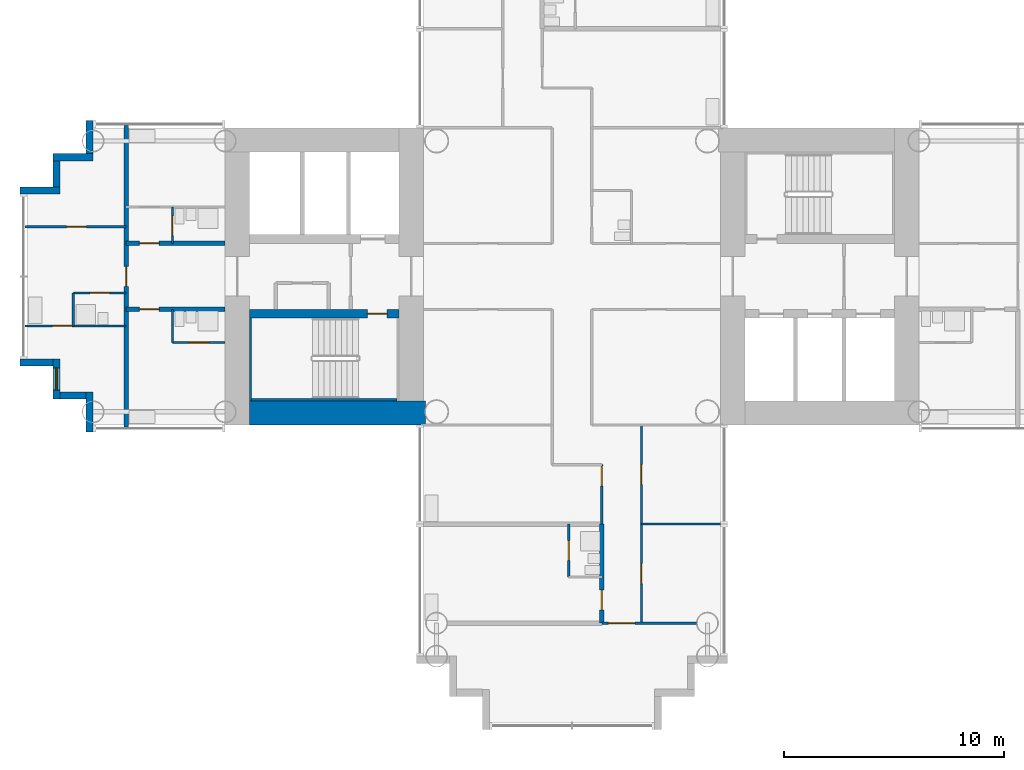
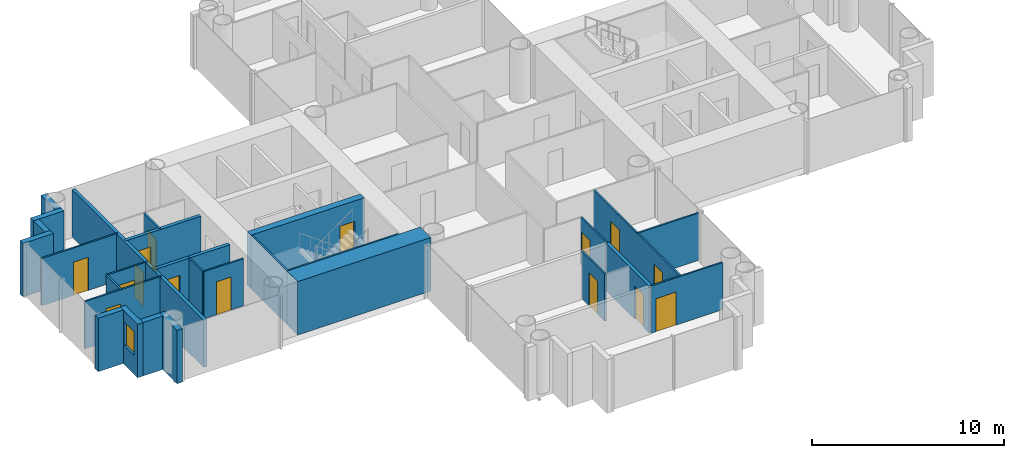
# One storey, part 9 of 21: 28 walls, 15 doors, 1 window, 16 openings.
"""IFC4 building model written with IfcOpenShell, lengths in metres."""

import ifcopenshell
import ifcopenshell.guid

model = None  # the IFC model being written
_history = None  # IfcOwnerHistory: only IFC2X3 demands one
_inside = {}  # id of a spatial element -> (the spatial element, [elements in it])
_under = {}  # id of a project, library or spatial element -> (it, [spatial elements below it])
_declared = {}  # id of a project -> (the project, [libraries it declares])
_typed = {}  # id of a type object -> (the type object, [elements of that type])
_made_of = {}  # id of a material, layer set ... -> (it, [elements and type objects made of it])


def new_model(schema):
    """Start an empty IFC model of exactly this schema.

    Asked for "IFC4X3", IfcOpenShell would pick the latest addendum, in which some entities
    have other attributes; the version numbers below select the first issue.
    IFC2X3 requires an IfcOwnerHistory on every rooted entity: one is made here for all.
    """
    global model, _history
    if schema == "IFC4X3":
        model = ifcopenshell.file(schema_version=(4, 3, 0, 0))
    else:
        model = ifcopenshell.file(schema=schema)
    _inside.clear()
    _under.clear()
    _declared.clear()
    _typed.clear()
    _made_of.clear()
    _history = None
    if model.schema == "IFC2X3":
        org = make("IfcOrganization", Name="unknown")
        user = make(
            "IfcPersonAndOrganization",
            ThePerson=make("IfcPerson", FamilyName="unknown"),
            TheOrganization=org,
        )
        app = make(
            "IfcApplication",
            ApplicationDeveloper=org,
            Version="unknown",
            ApplicationFullName="unknown",
            ApplicationIdentifier="unknown",
        )
        _history = make(
            "IfcOwnerHistory",
            OwningUser=user,
            OwningApplication=app,
            ChangeAction="ADDED",
            CreationDate=0,
        )
    return model


def make(cls, **values):
    """One entity of the class cls with the attributes given. An attribute that is None is left unset."""
    return model.create_entity(
        cls, **{name: value for name, value in values.items() if value is not None}
    )


def rooted(cls, **values):
    """An entity with a GlobalId (a new one), such as an element, a storey or a relation."""
    return make(cls, GlobalId=ifcopenshell.guid.new(), OwnerHistory=_history, **values)


def si_unit(unit_type, name, prefix=None):
    """IfcSIUnit, for example si_unit("LENGTHUNIT", "METRE", prefix="MILLI")."""
    return make("IfcSIUnit", UnitType=unit_type, Prefix=prefix, Name=name)


def assignment(units):
    """IfcUnitAssignment: the units of a project."""
    return None if units is None else make("IfcUnitAssignment", Units=units)


def point(xyz):
    """IfcCartesianPoint."""
    return None if xyz is None else make("IfcCartesianPoint", Coordinates=xyz)


def direction(xyz):
    """IfcDirection."""
    return None if xyz is None else make("IfcDirection", DirectionRatios=xyz)


def frame(location, z_axis=None, x_axis=None):
    """IfcAxis2Placement3D, a coordinate frame: its origin and axes. An axis left out is left unset."""
    return make(
        "IfcAxis2Placement3D",
        Location=point(location),
        Axis=direction(z_axis),
        RefDirection=direction(x_axis),
    )


def frame_2d(location, x_axis=None):
    """IfcAxis2Placement2D, a coordinate frame in the plane: its origin and x axis."""
    return make(
        "IfcAxis2Placement2D", Location=point(location), RefDirection=direction(x_axis)
    )


def origin():
    """The frame at (0, 0, 0) with its axes left unset."""
    return frame((0.0, 0.0, 0.0))


def place(relative_to, where):
    """IfcLocalPlacement: puts the frame where relative to a parent placement (None: the world)."""
    return make(
        "IfcLocalPlacement", PlacementRelTo=relative_to, RelativePlacement=where
    )


def context(
    kind, dimensions, precision=None, world=None, true_north=None, identifier=None
):
    """IfcGeometricRepresentationContext, for example the 3D "Model" context."""
    return make(
        "IfcGeometricRepresentationContext",
        ContextIdentifier=identifier,
        ContextType=kind,
        CoordinateSpaceDimension=dimensions,
        Precision=precision,
        WorldCoordinateSystem=world,
        TrueNorth=true_north,
    )


def subcontext(parent, identifier, kind, view, scale=None):
    """IfcGeometricRepresentationSubContext, for example "Body" below "Model"."""
    return make(
        "IfcGeometricRepresentationSubContext",
        ContextIdentifier=identifier,
        ContextType=kind,
        ParentContext=parent,
        TargetScale=scale,
        TargetView=view,
    )


def project(units=None, contexts=None):
    """IfcProject with its units and contexts."""
    return rooted(
        "IfcProject",
        Name="project",
        RepresentationContexts=contexts,
        UnitsInContext=assignment(units),
    )


def spatial(cls, under=None, at=None, **own):
    """A site, building, storey or space (cls), placed at a placement, below another one or the project."""
    s = rooted(cls, ObjectPlacement=at, **own)
    if under is not None:
        _under.setdefault(under.id(), (under, []))[1].append(s)
    return s


def profile(cls, at=None, kind="AREA", **sizes):
    """A parametric profile (cls). Its sizes go by their IFC names, for example OverallWidth=200.0."""
    return make(cls, ProfileType=kind, Position=at, **sizes)


def rectangle(**sizes):
    """IfcRectangleProfileDef."""
    return profile("IfcRectangleProfileDef", **sizes)


def extrude(swept, where, along, depth):
    """IfcExtrudedAreaSolid: the profile swept, set in the frame where, extruded along a direction by depth."""
    return make(
        "IfcExtrudedAreaSolid",
        SweptArea=swept,
        Position=where,
        ExtrudedDirection=direction(along),
        Depth=depth,
    )


def shape(context_of_items, identifier, shape_type, items):
    """IfcShapeRepresentation: the items that make up one representation, for example the "Body"."""
    return make(
        "IfcShapeRepresentation",
        ContextOfItems=context_of_items,
        RepresentationIdentifier=identifier,
        RepresentationType=shape_type,
        Items=items,
    )


def material(Name=None, Category=None):
    """IfcMaterial."""
    return make("IfcMaterial", Name=Name, Category=Category)


def layer(
    of_material, thickness, ventilated=None, Name=None, Category=None, Priority=None
):
    """IfcMaterialLayer: one layer of a wall or slab, of a material (None: an air gap)."""
    return make(
        "IfcMaterialLayer",
        Material=of_material,
        LayerThickness=thickness,
        IsVentilated=ventilated,
        Name=Name,
        Category=Category,
        Priority=Priority,
    )


def layer_set(layers, Name=None):
    """IfcMaterialLayerSet."""
    return make("IfcMaterialLayerSet", MaterialLayers=layers, LayerSetName=Name)


def made_of(thing, what):
    """Note that an element or type object is made of a material, layer set ...; save() writes the relation."""
    if what is not None:
        _made_of.setdefault(what.id(), (what, []))[1].append(thing)
    return thing


def type_object(cls, material=None, **own):
    """A type object (cls), such as IfcWallType, which elements share."""
    return made_of(rooted(cls, **own), material)


def element(
    cls,
    number,
    at=None,
    inside=None,
    cuts=None,
    type_object=None,
    material=None,
    context=None,
    identifier="Body",
    shape_type=None,
    held_by="IfcProductDefinitionShape",
    body=None,
    shapes=None,
    **own,
):
    """One element of the class cls, such as IfcWall. Its Tag is "e" and its number.

    at: its placement. inside: the storey or other place that contains it. cuts: it is an
    opening in that element (IfcRelVoidsElement). A single representation is given by context,
    identifier, shape_type and body (its items); several are given by shapes. held_by: the class
    of the entity that holds the representations. save() writes the other relations.
    """
    e = rooted(cls, Tag="e%d" % number, ObjectPlacement=at, **own)
    if body is not None:
        shapes = [shape(context, identifier, shape_type, body)]
    if shapes is not None:
        e.Representation = make(held_by, Representations=shapes)
    if inside is not None:
        _inside.setdefault(inside.id(), (inside, []))[1].append(e)
    if cuts is not None:
        rooted(
            "IfcRelVoidsElement", RelatingBuildingElement=cuts, RelatedOpeningElement=e
        )
    if type_object is not None:
        _typed.setdefault(type_object.id(), (type_object, []))[1].append(e)
    return made_of(e, material)


def fill(opening, filler):
    """IfcRelFillsElement: the door or window that sits in an opening."""
    return rooted(
        "IfcRelFillsElement",
        RelatingOpeningElement=opening,
        RelatedBuildingElement=filler,
    )


def aggregate(whole, parts):
    """IfcRelAggregates: a whole, such as a stair, and the parts it consists of."""
    return rooted("IfcRelAggregates", RelatingObject=whole, RelatedObjects=parts)


def save(model, path):
    """Write the relations noted so far, then the file.

    IfcRelAggregates (storeys below a building ...), IfcRelContainedInSpatialStructure (elements
    in a storey), IfcRelDefinesByType, IfcRelAssociatesMaterial and IfcRelDeclares: one each for
    every whole, place, type object, material and project.
    """
    for whole, parts in _under.values():
        aggregate(whole, parts)
    for where, things in _inside.values():
        rooted(
            "IfcRelContainedInSpatialStructure",
            RelatedElements=things,
            RelatingStructure=where,
        )
    for kind, things in _typed.values():
        rooted("IfcRelDefinesByType", RelatedObjects=things, RelatingType=kind)
    for what, things in _made_of.values():
        rooted("IfcRelAssociatesMaterial", RelatedObjects=things, RelatingMaterial=what)
    for by, libraries in _declared.values():
        rooted("IfcRelDeclares", RelatingContext=by, RelatedDefinitions=libraries)
    model.write(path)


model = new_model("IFC4")

# Units and contexts
model_context = context("Model", 3, precision=1e-05, world=origin(), true_north=direction((0.0, 1.0)))
body_context = subcontext(model_context, "Body", "Model", "MODEL_VIEW")
ifc_project = project(units=[si_unit("LENGTHUNIT", "METRE"), si_unit("AREAUNIT", "SQUARE_METRE"), si_unit("VOLUMEUNIT", "CUBIC_METRE"), si_unit("PLANEANGLEUNIT", "RADIAN"), si_unit("MASSUNIT", "GRAM", prefix="KILO")], contexts=[model_context])

# Site, building, storey
site_placement = place(None, origin())
site = spatial("IfcSite", under=ifc_project, at=site_placement, CompositionType="ELEMENT")
building_placement = place(site_placement, origin())
building = spatial("IfcBuilding", under=site, at=building_placement, Name="Ipe Terrace Towers", CompositionType="ELEMENT")
storey_placement = place(building_placement, frame((0.0, 0.0, 34.699951171875)))
storey = spatial("IfcBuildingStorey", under=building, at=storey_placement, Name="L08", CompositionType="ELEMENT", Elevation=34.699951171875)

# Wall
ifc_material_1 = material(Name="Concrete C40/50 with buff precast cladding", Category="concrete")
ifc_layer_1 = layer(ifc_material_1, 0.320068359375)
ifc_layer_set_1 = layer_set([ifc_layer_1], Name="BUFF CLADDING WALL 320")
wall_type_1 = type_object("IfcWallType", Name="BUFF CLADDING WALL 320", PredefinedType="STANDARD", material=ifc_layer_set_1)
wall_1_placement = place(storey_placement, frame((-61.070068359375, -3.909912109375, -0.300048828125), z_axis=(0.0, 0.0, 1.0), x_axis=(1.0, 0.0, 0.0)))
element("IfcWall", 1, at=wall_1_placement, inside=storey, type_object=wall_type_1, Name="T1-W-L08-00a wall", PredefinedType="STANDARD", context=body_context, shape_type="SweptSolid", body=[
    extrude(rectangle(XDim=1.5, YDim=0.320068359375, at=frame_2d((0.75, 0.0))), origin(), (0.0, 0.0, 1.0), 3.400146484375),
])

# Wall, opening, window
wall_2_placement = place(storey_placement, frame((-59.409912109375, -3.75, -0.300048828125), z_axis=(0.0, 0.0, 1.0), x_axis=(0.0, -1.0, 0.0)))
wall_2 = element("IfcWall", 2, at=wall_2_placement, inside=storey, type_object=wall_type_1, Name="T1-W-L08-01a wall", PredefinedType="STANDARD", context=body_context, shape_type="SweptSolid", body=[
    extrude(rectangle(XDim=1.820068359375, YDim=0.320068359375, at=frame_2d((0.91015625, 0.0))), origin(), (0.0, 0.0, 1.0), 3.400146484375),
])
opening_1_placement = place(wall_2_placement, frame((0.409912109375, 0.0, 1.199951171875)))
opening_1 = element("IfcOpeningElement", 3, at=opening_1_placement, cuts=wall_2, Name="Opening T1-W-05-L08-01", PredefinedType="OPENING", context=body_context, shape_type="SweptSolid", body=[
    extrude(rectangle(XDim=1.0, YDim=1.5, at=frame_2d((0.5, 0.75))), frame((0.0, 0.169921875, 0.0), z_axis=(0.0, -1.0, 0.0), x_axis=(1.0, 0.0, 0.0)), (0.0, 0.0, 1.0), 0.340087890625),
])
ifc_material_2 = material(Name="Glass, clear laminated", Category="glass")
window_type = type_object("IfcWindowType", Name="DWELLING WINDOW 1000 x 1500", PartitioningType="SINGLE_PANEL", PredefinedType="WINDOW", material=ifc_material_2)
window_placement = place(opening_1_placement, origin())
window = element("IfcWindow", 4, at=window_placement, inside=storey, type_object=window_type, Name="W-05 window", OverallHeight=1.5, OverallWidth=1.0, PartitioningType="SINGLE_PANEL", PredefinedType="WINDOW", context=body_context, shape_type="SweptSolid", body=[
    extrude(rectangle(XDim=1.0, YDim=1.5, at=frame_2d((0.5, 0.75))), frame((0.0, 0.030029296875, 0.0), z_axis=(0.0, -1.0, 0.0), x_axis=(1.0, 0.0, 0.0)), (0.0, 0.0, 1.0), 0.06005859375),
])
fill(opening_1, window)

# Walls
wall_3_placement = place(storey_placement, frame((-59.25, -5.409912109375, -0.300048828125), z_axis=(0.0, 0.0, 1.0), x_axis=(1.0, 0.0, 0.0)))
element("IfcWall", 5, at=wall_3_placement, inside=storey, type_object=wall_type_1, Name="T1-W-L08-02a wall", PredefinedType="STANDARD", context=body_context, shape_type="SweptSolid", body=[
    extrude(rectangle(XDim=1.179931640625, YDim=0.320068359375, at=frame_2d((0.58984375, 0.0))), origin(), (0.0, 0.0, 1.0), 3.400146484375),
])
wall_4_placement = place(storey_placement, frame((-57.909912109375, -5.25, -0.300048828125), z_axis=(0.0, 0.0, 1.0), x_axis=(0.0, -1.0, 0.0)))
element("IfcWall", 6, at=wall_4_placement, inside=storey, type_object=wall_type_1, Name="T1-W-L08-03a wall", PredefinedType="STANDARD", context=body_context, shape_type="SweptSolid", body=[
    extrude(rectangle(XDim=1.820068359375, YDim=0.320068359375, at=frame_2d((0.91015625, 0.0))), origin(), (0.0, 0.0, 1.0), 3.400146484375),
])
wall_5_placement = place(storey_placement, frame((-57.909912109375, 7.070068359375, -0.300048828125), z_axis=(0.0, 0.0, 1.0), x_axis=(0.0, -1.0, 0.0)))
element("IfcWall", 7, at=wall_5_placement, inside=storey, type_object=wall_type_1, Name="T1-W-L08-47a wall", PredefinedType="STANDARD", context=body_context, shape_type="SweptSolid", body=[
    extrude(rectangle(XDim=1.5, YDim=0.320068359375, at=frame_2d((0.75, 0.0))), origin(), (0.0, 0.0, 1.0), 3.400146484375),
])
wall_6_placement = place(storey_placement, frame((-57.75, 5.409912109375, -0.300048828125), z_axis=(0.0, 0.0, 1.0), x_axis=(-1.0, 0.0, 0.0)))
element("IfcWall", 8, at=wall_6_placement, inside=storey, type_object=wall_type_1, Name="T1-W-L08-48a wall", PredefinedType="STANDARD", context=body_context, shape_type="SweptSolid", body=[
    extrude(rectangle(XDim=1.820068359375, YDim=0.320068359375, at=frame_2d((0.91015625, 0.0))), origin(), (0.0, 0.0, 1.0), 3.400146484375),
])
wall_7_placement = place(storey_placement, frame((-59.409912109375, 5.25, -0.300048828125), z_axis=(0.0, 0.0, 1.0), x_axis=(0.0, -1.0, 0.0)))
element("IfcWall", 9, at=wall_7_placement, inside=storey, type_object=wall_type_1, Name="T1-W-L08-49a wall", PredefinedType="STANDARD", context=body_context, shape_type="SweptSolid", body=[
    extrude(rectangle(XDim=1.179931640625, YDim=0.320068359375, at=frame_2d((0.58984375, 0.0))), origin(), (0.0, 0.0, 1.0), 3.400146484375),
])
wall_8_placement = place(storey_placement, frame((-59.25, 3.909912109375, -0.300048828125), z_axis=(0.0, 0.0, 1.0), x_axis=(-1.0, 0.0, 0.0)))
element("IfcWall", 10, at=wall_8_placement, inside=storey, type_object=wall_type_1, Name="T1-W-L08-50a wall", PredefinedType="STANDARD", context=body_context, shape_type="SweptSolid", body=[
    extrude(rectangle(XDim=1.820068359375, YDim=0.320068359375, at=frame_2d((0.91015625, 0.0))), origin(), (0.0, 0.0, 1.0), 3.400146484375),
])
ifc_material_3 = material(Name="Gypsum board partition", Category="plasterboard")
ifc_layer_2 = layer(ifc_material_3, 0.10009765625)
ifc_layer_set_2 = layer_set([ifc_layer_2], Name="Gypsum board partition 100 mm")
wall_type_2 = type_object("IfcWallType", Name="Gypsum board partition 100 mm", PredefinedType="PARTITIONING", material=ifc_layer_set_2)
for number, where, z_axis, x_axis, name in (
    (11, (-58.64990234375, -2.25, 0.0), (0.0, 0.0, 1.0), (0.0, 1.0, 0.0), "Gypsum board partition T1 L08 W01"),
    (12, (-54.14990234375, -3.0, 0.0), (0.0, 0.0, 1.0), (0.0, 1.0, 0.0), "Gypsum board partition T1 L08 W03"),
):
    element("IfcWall", number, at=place(storey_placement, frame(where, z_axis=z_axis, x_axis=x_axis)), inside=storey, type_object=wall_type_2, Name=name, PredefinedType="PARTITIONING", context=body_context, shape_type="SweptSolid", body=[
        extrude(rectangle(XDim=1.5, YDim=0.10009765625, at=frame_2d((0.75, 0.0))), origin(), (0.0, 0.0, 1.0), 3.0),
    ])

# Wall, opening, door
wall_9_placement = place(storey_placement, frame((-54.14990234375, 1.5, 0.0), z_axis=(0.0, 0.0, 1.0), x_axis=(0.0, 1.0, 0.0)))
wall_9 = element("IfcWall", 13, at=wall_9_placement, inside=storey, type_object=wall_type_2, Name="Gypsum board partition T1 L08 W04", PredefinedType="PARTITIONING", context=body_context, shape_type="SweptSolid", body=[
    extrude(rectangle(XDim=1.64990234375, YDim=0.10009765625, at=frame_2d((0.824951171875, 0.0))), origin(), (0.0, 0.0, 1.0), 3.0),
])
opening_2_placement = place(wall_9_placement, frame((0.35009765625, 0.0, 0.0)))
opening_2 = element("IfcOpeningElement", 14, at=opening_2_placement, cuts=wall_9, Name="Opening T1-Z1B-26", PredefinedType="OPENING", context=body_context, shape_type="SweptSolid", body=[
    extrude(rectangle(XDim=0.89990234375, YDim=2.10009765625, at=frame_2d((0.449951171875, 1.050048828125))), frame((0.0, 0.06005859375, 0.0), z_axis=(0.0, -1.0, 0.0), x_axis=(1.0, 0.0, 0.0)), (0.0, 0.0, 1.0), 0.1201171875),
])
ifc_material_4 = material(Name="Timber door leaf", Category="wood")
door_type_1 = type_object("IfcDoorType", Name="Bathroom door 900 x 2100", OperationType="NOTDEFINED", PredefinedType="DOOR", material=ifc_material_4)
door_1_placement = place(opening_2_placement, origin())
door_1 = element("IfcDoor", 15, at=door_1_placement, inside=storey, type_object=door_type_1, Name="Bathroom door T1-Z1B-26", OperationType="SINGLE_SWING_LEFT", OverallHeight=2.10009765625, OverallWidth=0.89990234375, PredefinedType="DOOR", context=body_context, shape_type="SweptSolid", body=[
    extrude(rectangle(XDim=0.89990234375, YDim=2.10009765625, at=frame_2d((0.449951171875, 1.050048828125))), frame((0.0, 0.02490234375, 0.0), z_axis=(0.0, -1.0, 0.0), x_axis=(1.0, 0.0, 0.0)), (0.0, 0.0, 1.0), 0.050048828125),
])
fill(opening_2, door_1)

wall_10_placement = place(storey_placement, frame((-36.14990234375, -13.64990234375, 0.0), z_axis=(0.0, 0.0, 1.0), x_axis=(0.0, 1.0, 0.0)))
wall_10 = element("IfcWall", 16, at=wall_10_placement, inside=storey, type_object=wall_type_2, Name="Gypsum board partition T1 L08 W10", PredefinedType="PARTITIONING", context=body_context, shape_type="SweptSolid", body=[
    extrude(rectangle(XDim=2.39990234375, YDim=0.10009765625, at=frame_2d((1.199951171875, 0.0))), origin(), (0.0, 0.0, 1.0), 3.0),
])
opening_3_placement = place(wall_10_placement, frame((0.75, 0.0, 0.0)))
opening_3 = element("IfcOpeningElement", 17, at=opening_3_placement, cuts=wall_10, Name="Opening T1-Z1B-16", PredefinedType="OPENING", context=body_context, shape_type="SweptSolid", body=[
    extrude(rectangle(XDim=0.89990234375, YDim=2.10009765625, at=frame_2d((0.449951171875, 1.050048828125))), frame((0.0, 0.06005859375, 0.0), z_axis=(0.0, -1.0, 0.0), x_axis=(1.0, 0.0, 0.0)), (0.0, 0.0, 1.0), 0.1201171875),
])
door_2_placement = place(opening_3_placement, origin())
door_2 = element("IfcDoor", 18, at=door_2_placement, inside=storey, type_object=door_type_1, Name="Bathroom door T1-Z1B-16", OperationType="SINGLE_SWING_RIGHT", OverallHeight=2.10009765625, OverallWidth=0.89990234375, PredefinedType="DOOR", context=body_context, shape_type="SweptSolid", body=[
    extrude(rectangle(XDim=0.89990234375, YDim=2.10009765625, at=frame_2d((0.449951171875, 1.050048828125))), frame((0.0, 0.02490234375, 0.0), z_axis=(0.0, -1.0, 0.0), x_axis=(1.0, 0.0, 0.0)), (0.0, 0.0, 1.0), 0.050048828125),
])
fill(opening_3, door_2)

wall_11_placement = place(storey_placement, frame((-34.64990234375, -11.25, 0.0), z_axis=(0.0, 0.0, 1.0), x_axis=(0.0, 1.0, 0.0)))
wall_11 = element("IfcWall", 19, at=wall_11_placement, inside=storey, type_object=wall_type_2, Name="Gypsum board partition T1 L08 W14", PredefinedType="PARTITIONING", context=body_context, shape_type="SweptSolid", body=[
    extrude(rectangle(XDim=2.699951171875, YDim=0.10009765625, at=frame_2d((1.35009765625, 0.0))), origin(), (0.0, 0.0, 1.0), 3.0),
])
opening_4_placement = place(wall_11_placement, frame((1.72998046875, 0.0, 0.0)))
opening_4 = element("IfcOpeningElement", 20, at=opening_4_placement, cuts=wall_11, Name="Opening T1-Z1B-14", PredefinedType="OPENING", context=body_context, shape_type="SweptSolid", body=[
    extrude(rectangle(XDim=0.89990234375, YDim=2.10009765625, at=frame_2d((0.449951171875, 1.050048828125))), frame((0.0, 0.06005859375, 0.0), z_axis=(0.0, -1.0, 0.0), x_axis=(1.0, 0.0, 0.0)), (0.0, 0.0, 1.0), 0.1201171875),
])
ifc_material_5 = material(Name="Timber door leaf", Category="wood")
door_type_2 = type_object("IfcDoorType", Name="Lounge door 900 x 2100", OperationType="NOTDEFINED", PredefinedType="DOOR", material=ifc_material_5)
door_3_placement = place(opening_4_placement, origin())
door_3 = element("IfcDoor", 21, at=door_3_placement, inside=storey, type_object=door_type_2, Name="Lounge door T1-Z1B-14", OperationType="SINGLE_SWING_LEFT", OverallHeight=2.10009765625, OverallWidth=0.89990234375, PredefinedType="DOOR", context=body_context, shape_type="SweptSolid", body=[
    extrude(rectangle(XDim=0.89990234375, YDim=2.10009765625, at=frame_2d((0.449951171875, 1.050048828125))), frame((0.0, 0.02490234375, 0.0), z_axis=(0.0, -1.0, 0.0), x_axis=(1.0, 0.0, 0.0)), (0.0, 0.0, 1.0), 0.050048828125),
])
fill(opening_4, door_3)

# Wall, openings, doors
wall_12_placement = place(storey_placement, frame((-32.85009765625, -15.75, 0.0), z_axis=(0.0, 0.0, 1.0), x_axis=(0.0, 1.0, 0.0)))
wall_12 = element("IfcWall", 22, at=wall_12_placement, inside=storey, type_object=wall_type_2, Name="Gypsum board partition T1 L08 W17", PredefinedType="PARTITIONING", context=body_context, shape_type="SweptSolid", body=[
    extrude(rectangle(XDim=9.0, YDim=0.10009765625, at=frame_2d((4.5, 0.0))), origin(), (0.0, 0.0, 1.0), 3.0),
])
opening_5_placement = place(wall_12_placement, frame((6.300048828125, 0.0, 0.0)))
opening_5 = element("IfcOpeningElement", 23, at=opening_5_placement, cuts=wall_12, Name="Opening T1-Z1B-12", PredefinedType="OPENING", context=body_context, shape_type="SweptSolid", body=[
    extrude(rectangle(XDim=0.89990234375, YDim=2.10009765625, at=frame_2d((0.449951171875, 1.050048828125))), frame((0.0, 0.06005859375, 0.0), z_axis=(0.0, -1.0, 0.0), x_axis=(1.0, 0.0, 0.0)), (0.0, 0.0, 1.0), 0.1201171875),
])
opening_6_placement = place(wall_12_placement, frame((1.800048828125, 0.0, 0.0)))
opening_6 = element("IfcOpeningElement", 24, at=opening_6_placement, cuts=wall_12, Name="Opening T1-Z1B-13", PredefinedType="OPENING", context=body_context, shape_type="SweptSolid", body=[
    extrude(rectangle(XDim=0.89990234375, YDim=2.10009765625, at=frame_2d((0.449951171875, 1.050048828125))), frame((0.0, 0.06005859375, 0.0), z_axis=(0.0, -1.0, 0.0), x_axis=(1.0, 0.0, 0.0)), (0.0, 0.0, 1.0), 0.1201171875),
])
door_4_placement = place(opening_5_placement, origin())
door_4 = element("IfcDoor", 25, at=door_4_placement, inside=storey, type_object=door_type_2, Name="Lounge door T1-Z1B-12", OperationType="SINGLE_SWING_RIGHT", OverallHeight=2.10009765625, OverallWidth=0.89990234375, PredefinedType="DOOR", context=body_context, shape_type="SweptSolid", body=[
    extrude(rectangle(XDim=0.89990234375, YDim=2.10009765625, at=frame_2d((0.449951171875, 1.050048828125))), frame((0.0, 0.02490234375, 0.0), z_axis=(0.0, -1.0, 0.0), x_axis=(1.0, 0.0, 0.0)), (0.0, 0.0, 1.0), 0.050048828125),
])
fill(opening_5, door_4)
door_5_placement = place(opening_6_placement, origin())
door_5 = element("IfcDoor", 26, at=door_5_placement, inside=storey, type_object=door_type_2, Name="Lounge door T1-Z1B-13", OperationType="SINGLE_SWING_LEFT", OverallHeight=2.10009765625, OverallWidth=0.89990234375, PredefinedType="DOOR", context=body_context, shape_type="SweptSolid", body=[
    extrude(rectangle(XDim=0.89990234375, YDim=2.10009765625, at=frame_2d((0.449951171875, 1.050048828125))), frame((0.0, 0.02490234375, 0.0), z_axis=(0.0, -1.0, 0.0), x_axis=(1.0, 0.0, 0.0)), (0.0, 0.0, 1.0), 0.050048828125),
])
fill(opening_6, door_5)

# Wall, opening, door
wall_13_placement = place(storey_placement, frame((-34.64990234375, -15.75, 0.0), z_axis=(0.0, 0.0, 1.0), x_axis=(1.0, 0.0, 0.0)))
wall_13 = element("IfcWall", 27, at=wall_13_placement, inside=storey, type_object=wall_type_2, Name="Gypsum board partition T1 L08 W21", PredefinedType="PARTITIONING", context=body_context, shape_type="SweptSolid", body=[
    extrude(rectangle(XDim=4.2998046875, YDim=0.10009765625, at=frame_2d((2.14990234375, 0.0))), origin(), (0.0, 0.0, 1.0), 3.0),
])
opening_7_placement = place(wall_13_placement, frame((0.300048828125, 0.0, 0.0)))
opening_7 = element("IfcOpeningElement", 28, at=opening_7_placement, cuts=wall_13, Name="Opening T1-Z1B-17", PredefinedType="OPENING", context=body_context, shape_type="SweptSolid", body=[
    extrude(rectangle(XDim=1.199951171875, YDim=2.10009765625, at=frame_2d((0.60009765625, 1.050048828125))), frame((0.0, 0.06005859375, 0.0), z_axis=(0.0, -1.0, 0.0), x_axis=(1.0, 0.0, 0.0)), (0.0, 0.0, 1.0), 0.1201171875),
])
ifc_material_6 = material(Name="Timber door leaf", Category="wood")
door_type_3 = type_object("IfcDoorType", Name="Lounge door 1200 x 2100", OperationType="NOTDEFINED", PredefinedType="DOOR", material=ifc_material_6)
door_6_placement = place(opening_7_placement, origin())
door_6 = element("IfcDoor", 29, at=door_6_placement, inside=storey, type_object=door_type_3, Name="Lounge door T1-Z1B-17", OperationType="SINGLE_SWING_LEFT", OverallHeight=2.10009765625, OverallWidth=1.199951171875, PredefinedType="DOOR", context=body_context, shape_type="SweptSolid", body=[
    extrude(rectangle(XDim=1.199951171875, YDim=2.10009765625, at=frame_2d((0.60009765625, 1.050048828125))), frame((0.0, 0.02490234375, 0.0), z_axis=(0.0, -1.0, 0.0), x_axis=(1.0, 0.0, 0.0)), (0.0, 0.0, 1.0), 0.050048828125),
])
fill(opening_7, door_6)

# Wall
wall_14_placement = place(storey_placement, frame((-32.85009765625, -11.25, 0.0), z_axis=(0.0, 0.0, 1.0), x_axis=(1.0, 0.0, 0.0)))
element("IfcWall", 30, at=wall_14_placement, inside=storey, type_object=wall_type_2, Name="Gypsum board partition T1 L08 W24", PredefinedType="PARTITIONING", context=body_context, shape_type="SweptSolid", body=[
    extrude(rectangle(XDim=3.7001953125, YDim=0.10009765625, at=frame_2d((1.85009765625, 0.0))), origin(), (0.0, 0.0, 1.0), 3.0),
])

# Wall, opening, door
wall_15_placement = place(storey_placement, frame((-54.14990234375, -3.0, 0.0), z_axis=(0.0, 0.0, 1.0), x_axis=(1.0, 0.0, 0.0)))
wall_15 = element("IfcWall", 31, at=wall_15_placement, inside=storey, type_object=wall_type_2, Name="Gypsum board partition T1 L08 W29", PredefinedType="PARTITIONING", context=body_context, shape_type="SweptSolid", body=[
    extrude(rectangle(XDim=2.39990234375, YDim=0.10009765625, at=frame_2d((1.199951171875, 0.0))), origin(), (0.0, 0.0, 1.0), 3.0),
])
opening_8_placement = place(wall_15_placement, frame((0.75, 0.0, 0.0)))
opening_8 = element("IfcOpeningElement", 32, at=opening_8_placement, cuts=wall_15, Name="Opening T1-Z1B-23", PredefinedType="OPENING", context=body_context, shape_type="SweptSolid", body=[
    extrude(rectangle(XDim=0.89990234375, YDim=2.10009765625, at=frame_2d((0.449951171875, 1.050048828125))), frame((0.0, 0.06005859375, 0.0), z_axis=(0.0, -1.0, 0.0), x_axis=(1.0, 0.0, 0.0)), (0.0, 0.0, 1.0), 0.1201171875),
])
door_7_placement = place(opening_8_placement, origin())
door_7 = element("IfcDoor", 33, at=door_7_placement, inside=storey, type_object=door_type_1, Name="Bathroom door T1-Z1B-23", OperationType="SINGLE_SWING_LEFT", OverallHeight=2.10009765625, OverallWidth=0.89990234375, PredefinedType="DOOR", context=body_context, shape_type="SweptSolid", body=[
    extrude(rectangle(XDim=0.89990234375, YDim=2.10009765625, at=frame_2d((0.449951171875, 1.050048828125))), frame((0.0, 0.02490234375, 0.0), z_axis=(0.0, -1.0, 0.0), x_axis=(1.0, 0.0, 0.0)), (0.0, 0.0, 1.0), 0.050048828125),
])
fill(opening_8, door_7)

wall_16_placement = place(storey_placement, frame((-60.85009765625, -2.25, 0.0), z_axis=(0.0, 0.0, 1.0), x_axis=(1.0, 0.0, 0.0)))
wall_16 = element("IfcWall", 34, at=wall_16_placement, inside=storey, type_object=wall_type_2, Name="Gypsum board partition T1 L08 W31", PredefinedType="PARTITIONING", context=body_context, shape_type="SweptSolid", body=[
    extrude(rectangle(XDim=4.60009765625, YDim=0.10009765625, at=frame_2d((2.300048828125, 0.0))), origin(), (0.0, 0.0, 1.0), 3.0),
])
opening_9_placement = place(wall_16_placement, frame((1.25, 0.0, 0.0)))
opening_9 = element("IfcOpeningElement", 35, at=opening_9_placement, cuts=wall_16, Name="Opening T1-Z1B-29", PredefinedType="OPENING", context=body_context, shape_type="SweptSolid", body=[
    extrude(rectangle(XDim=0.89990234375, YDim=2.10009765625, at=frame_2d((0.449951171875, 1.050048828125))), frame((0.0, 0.06005859375, 0.0), z_axis=(0.0, -1.0, 0.0), x_axis=(1.0, 0.0, 0.0)), (0.0, 0.0, 1.0), 0.1201171875),
])
ifc_material_7 = material(Name="Timber door leaf", Category="wood")
door_type_4 = type_object("IfcDoorType", Name="Bedroom door 900 x 2100", OperationType="NOTDEFINED", PredefinedType="DOOR", material=ifc_material_7)
door_8_placement = place(opening_9_placement, origin())
door_8 = element("IfcDoor", 36, at=door_8_placement, inside=storey, type_object=door_type_4, Name="Bedroom door T1-Z1B-29", OperationType="SINGLE_SWING_LEFT", OverallHeight=2.10009765625, OverallWidth=0.89990234375, PredefinedType="DOOR", context=body_context, shape_type="SweptSolid", body=[
    extrude(rectangle(XDim=0.89990234375, YDim=2.10009765625, at=frame_2d((0.449951171875, 1.050048828125))), frame((0.0, 0.02490234375, 0.0), z_axis=(0.0, -1.0, 0.0), x_axis=(1.0, 0.0, 0.0)), (0.0, 0.0, 1.0), 0.050048828125),
])
fill(opening_9, door_8)

wall_17_placement = place(storey_placement, frame((-58.64990234375, -0.75, 0.0), z_axis=(0.0, 0.0, 1.0), x_axis=(1.0, 0.0, 0.0)))
wall_17 = element("IfcWall", 37, at=wall_17_placement, inside=storey, type_object=wall_type_2, Name="Gypsum board partition T1 L08 W36", PredefinedType="PARTITIONING", context=body_context, shape_type="SweptSolid", body=[
    extrude(rectangle(XDim=2.39990234375, YDim=0.10009765625, at=frame_2d((1.199951171875, 0.0))), origin(), (0.0, 0.0, 1.0), 3.0),
])
opening_10_placement = place(wall_17_placement, frame((0.75, 0.0, 0.0)))
opening_10 = element("IfcOpeningElement", 38, at=opening_10_placement, cuts=wall_17, Name="Opening T1-Z1B-27", PredefinedType="OPENING", context=body_context, shape_type="SweptSolid", body=[
    extrude(rectangle(XDim=0.89990234375, YDim=2.10009765625, at=frame_2d((0.449951171875, 1.050048828125))), frame((0.0, 0.06005859375, 0.0), z_axis=(0.0, -1.0, 0.0), x_axis=(1.0, 0.0, 0.0)), (0.0, 0.0, 1.0), 0.1201171875),
])
door_9_placement = place(opening_10_placement, origin())
door_9 = element("IfcDoor", 39, at=door_9_placement, inside=storey, type_object=door_type_1, Name="Bathroom door T1-Z1B-27", OperationType="SINGLE_SWING_RIGHT", OverallHeight=2.10009765625, OverallWidth=0.89990234375, PredefinedType="DOOR", context=body_context, shape_type="SweptSolid", body=[
    extrude(rectangle(XDim=0.89990234375, YDim=2.10009765625, at=frame_2d((0.449951171875, 1.050048828125))), frame((0.0, 0.02490234375, 0.0), z_axis=(0.0, -1.0, 0.0), x_axis=(1.0, 0.0, 0.0)), (0.0, 0.0, 1.0), 0.050048828125),
])
fill(opening_10, door_9)

wall_18_placement = place(storey_placement, frame((-60.85009765625, 2.25, 0.0), z_axis=(0.0, 0.0, 1.0), x_axis=(1.0, 0.0, 0.0)))
wall_18 = element("IfcWall", 40, at=wall_18_placement, inside=storey, type_object=wall_type_2, Name="Gypsum board partition T1 L08 W41", PredefinedType="PARTITIONING", context=body_context, shape_type="SweptSolid", body=[
    extrude(rectangle(XDim=4.60009765625, YDim=0.10009765625, at=frame_2d((2.300048828125, 0.0))), origin(), (0.0, 0.0, 1.0), 3.0),
])
opening_11_placement = place(wall_18_placement, frame((1.89990234375, 0.0, 0.0)))
opening_11 = element("IfcOpeningElement", 41, at=opening_11_placement, cuts=wall_18, Name="Opening T1-Z1B-30", PredefinedType="OPENING", context=body_context, shape_type="SweptSolid", body=[
    extrude(rectangle(XDim=0.89990234375, YDim=2.10009765625, at=frame_2d((0.449951171875, 1.050048828125))), frame((0.0, 0.06005859375, 0.0), z_axis=(0.0, -1.0, 0.0), x_axis=(1.0, 0.0, 0.0)), (0.0, 0.0, 1.0), 0.1201171875),
])
door_10_placement = place(opening_11_placement, origin())
door_10 = element("IfcDoor", 42, at=door_10_placement, inside=storey, type_object=door_type_2, Name="Lounge door T1-Z1B-30", OperationType="SINGLE_SWING_LEFT", OverallHeight=2.10009765625, OverallWidth=0.89990234375, PredefinedType="DOOR", context=body_context, shape_type="SweptSolid", body=[
    extrude(rectangle(XDim=0.89990234375, YDim=2.10009765625, at=frame_2d((0.449951171875, 1.050048828125))), frame((0.0, 0.02490234375, 0.0), z_axis=(0.0, -1.0, 0.0), x_axis=(1.0, 0.0, 0.0)), (0.0, 0.0, 1.0), 0.050048828125),
])
fill(opening_11, door_10)

ifc_material_8 = material(Name="Gypsum board party wall", Category="plasterboard")
ifc_layer_3 = layer(ifc_material_8, 0.199951171875)
ifc_layer_set_3 = layer_set([ifc_layer_3], Name="Gypsum board party wall 200 mm")
wall_type_3 = type_object("IfcWallType", Name="Gypsum board party wall 200 mm", PredefinedType="SOLIDWALL", material=ifc_layer_set_3)
wall_19_placement = place(storey_placement, frame((-56.25, -6.85009765625, 0.0), z_axis=(0.0, 0.0, 1.0), x_axis=(0.0, 1.0, 0.0)))
wall_19 = element("IfcWall", 43, at=wall_19_placement, inside=storey, type_object=wall_type_3, Name="Gypsum board party wall T1 L08 W02", PredefinedType="SOLIDWALL", context=body_context, shape_type="SweptSolid", body=[
    extrude(rectangle(XDim=13.7001953125, YDim=0.199951171875, at=frame_2d((6.85009765625, 0.0))), origin(), (0.0, 0.0, 1.0), 3.0),
])
opening_12_placement = place(wall_19_placement, frame((6.39990234375, 0.0, 0.0)))
opening_12 = element("IfcOpeningElement", 44, at=opening_12_placement, cuts=wall_19, Name="Opening T1-Z1B-28", PredefinedType="OPENING", context=body_context, shape_type="SweptSolid", body=[
    extrude(rectangle(XDim=0.89990234375, YDim=2.10009765625, at=frame_2d((0.449951171875, 1.050048828125))), frame((0.0, 0.10986328125, 0.0), z_axis=(0.0, -1.0, 0.0), x_axis=(1.0, 0.0, 0.0)), (0.0, 0.0, 1.0), 0.219970703125),
])
ifc_material_9 = material(Name="Fire-rated timber door leaf", Category="wood")
door_type_5 = type_object("IfcDoorType", Name="Flat entrance door 900 x 2100 FD30S", OperationType="NOTDEFINED", PredefinedType="DOOR", material=ifc_material_9)
door_11_placement = place(opening_12_placement, origin())
door_11 = element("IfcDoor", 45, at=door_11_placement, inside=storey, type_object=door_type_5, Name="Flat entrance door T1-Z1B-28", OperationType="SINGLE_SWING_LEFT", OverallHeight=2.10009765625, OverallWidth=0.89990234375, PredefinedType="DOOR", context=body_context, shape_type="SweptSolid", body=[
    extrude(rectangle(XDim=0.89990234375, YDim=2.10009765625, at=frame_2d((0.449951171875, 1.050048828125))), frame((0.0, 0.02490234375, 0.0), z_axis=(0.0, -1.0, 0.0), x_axis=(1.0, 0.0, 0.0)), (0.0, 0.0, 1.0), 0.050048828125),
])
fill(opening_12, door_11)

wall_20_placement = place(storey_placement, frame((-34.64990234375, -15.75, 0.0), z_axis=(0.0, 0.0, 1.0), x_axis=(0.0, 1.0, 0.0)))
wall_20 = element("IfcWall", 46, at=wall_20_placement, inside=storey, type_object=wall_type_3, Name="Gypsum board party wall T1 L08 W15", PredefinedType="SOLIDWALL", context=body_context, shape_type="SweptSolid", body=[
    extrude(rectangle(XDim=4.5, YDim=0.199951171875, at=frame_2d((2.25, 0.0))), origin(), (0.0, 0.0, 1.0), 3.0),
])
opening_13_placement = place(wall_20_placement, frame((0.60009765625, 0.0, 0.0)))
opening_13 = element("IfcOpeningElement", 47, at=opening_13_placement, cuts=wall_20, Name="Opening T1-Z1B-15", PredefinedType="OPENING", context=body_context, shape_type="SweptSolid", body=[
    extrude(rectangle(XDim=0.89990234375, YDim=2.10009765625, at=frame_2d((0.449951171875, 1.050048828125))), frame((0.0, 0.10986328125, 0.0), z_axis=(0.0, -1.0, 0.0), x_axis=(1.0, 0.0, 0.0)), (0.0, 0.0, 1.0), 0.219970703125),
])
door_12_placement = place(opening_13_placement, origin())
door_12 = element("IfcDoor", 48, at=door_12_placement, inside=storey, type_object=door_type_5, Name="Flat entrance door T1-Z1B-15", OperationType="SINGLE_SWING_RIGHT", OverallHeight=2.10009765625, OverallWidth=0.89990234375, PredefinedType="DOOR", context=body_context, shape_type="SweptSolid", body=[
    extrude(rectangle(XDim=0.89990234375, YDim=2.10009765625, at=frame_2d((0.449951171875, 1.050048828125))), frame((0.0, 0.02490234375, 0.0), z_axis=(0.0, -1.0, 0.0), x_axis=(1.0, 0.0, 0.0)), (0.0, 0.0, 1.0), 0.050048828125),
])
fill(opening_13, door_12)

wall_21_placement = place(storey_placement, frame((-56.25, -1.5, 0.0), z_axis=(0.0, 0.0, 1.0), x_axis=(1.0, 0.0, 0.0)))
wall_21 = element("IfcWall", 49, at=wall_21_placement, inside=storey, type_object=wall_type_3, Name="Gypsum board party wall T1 L08 W34", PredefinedType="SOLIDWALL", context=body_context, shape_type="SweptSolid", body=[
    extrude(rectangle(XDim=4.5, YDim=0.199951171875, at=frame_2d((2.25, 0.0))), origin(), (0.0, 0.0, 1.0), 3.0),
])
opening_14_placement = place(wall_21_placement, frame((0.60009765625, 0.0, 0.0)))
opening_14 = element("IfcOpeningElement", 50, at=opening_14_placement, cuts=wall_21, Name="Opening T1-Z1B-22", PredefinedType="OPENING", context=body_context, shape_type="SweptSolid", body=[
    extrude(rectangle(XDim=0.89990234375, YDim=2.10009765625, at=frame_2d((0.449951171875, 1.050048828125))), frame((0.0, 0.10986328125, 0.0), z_axis=(0.0, -1.0, 0.0), x_axis=(1.0, 0.0, 0.0)), (0.0, 0.0, 1.0), 0.219970703125),
])
door_13_placement = place(opening_14_placement, origin())
door_13 = element("IfcDoor", 51, at=door_13_placement, inside=storey, type_object=door_type_5, Name="Flat entrance door T1-Z1B-22", OperationType="SINGLE_SWING_LEFT", OverallHeight=2.10009765625, OverallWidth=0.89990234375, PredefinedType="DOOR", context=body_context, shape_type="SweptSolid", body=[
    extrude(rectangle(XDim=0.89990234375, YDim=2.10009765625, at=frame_2d((0.449951171875, 1.050048828125))), frame((0.0, 0.02490234375, 0.0), z_axis=(0.0, -1.0, 0.0), x_axis=(1.0, 0.0, 0.0)), (0.0, 0.0, 1.0), 0.050048828125),
])
fill(opening_14, door_13)

wall_22_placement = place(storey_placement, frame((-56.25, 1.5, 0.0), z_axis=(0.0, 0.0, 1.0), x_axis=(1.0, 0.0, 0.0)))
wall_22 = element("IfcWall", 52, at=wall_22_placement, inside=storey, type_object=wall_type_3, Name="Gypsum board party wall T1 L08 W40", PredefinedType="SOLIDWALL", context=body_context, shape_type="SweptSolid", body=[
    extrude(rectangle(XDim=4.5, YDim=0.199951171875, at=frame_2d((2.25, 0.0))), origin(), (0.0, 0.0, 1.0), 3.0),
])
opening_15_placement = place(wall_22_placement, frame((0.60009765625, 0.0, 0.0)))
opening_15 = element("IfcOpeningElement", 53, at=opening_15_placement, cuts=wall_22, Name="Opening T1-Z1B-24", PredefinedType="OPENING", context=body_context, shape_type="SweptSolid", body=[
    extrude(rectangle(XDim=0.89990234375, YDim=2.10009765625, at=frame_2d((0.449951171875, 1.050048828125))), frame((0.0, 0.10986328125, 0.0), z_axis=(0.0, -1.0, 0.0), x_axis=(1.0, 0.0, 0.0)), (0.0, 0.0, 1.0), 0.219970703125),
])
door_14_placement = place(opening_15_placement, origin())
door_14 = element("IfcDoor", 54, at=door_14_placement, inside=storey, type_object=door_type_5, Name="Flat entrance door T1-Z1B-24", OperationType="SINGLE_SWING_RIGHT", OverallHeight=2.10009765625, OverallWidth=0.89990234375, PredefinedType="DOOR", context=body_context, shape_type="SweptSolid", body=[
    extrude(rectangle(XDim=0.89990234375, YDim=2.10009765625, at=frame_2d((0.449951171875, 1.050048828125))), frame((0.0, 0.02490234375, 0.0), z_axis=(0.0, -1.0, 0.0), x_axis=(1.0, 0.0, 0.0)), (0.0, 0.0, 1.0), 0.050048828125),
])
fill(opening_15, door_14)

# Walls
ifc_material_10 = material(Name="Concrete C60/75", Category="concrete")
ifc_layer_4 = layer(ifc_material_10, 0.10009765625)
ifc_layer_set_4 = layer_set([ifc_layer_4], Name="RW100 CORE INFILL WALL 100 C60-75")
wall_type_4 = type_object("IfcWallType", Name="RW100 CORE INFILL WALL 100 C60-75", PredefinedType="SHEAR", material=ifc_layer_set_4)
wall_23_placement = place(storey_placement, frame((-50.60009765625, -1.89990234375, 0.0), z_axis=(0.0, 0.0, 1.0), x_axis=(0.0, -1.0, 0.0)))
element("IfcWall", 55, at=wall_23_placement, inside=storey, type_object=wall_type_4, Name="Core infill wall T1-C2-far", PredefinedType="SHEAR", context=body_context, shape_type="SweptSolid", body=[
    extrude(rectangle(XDim=3.75, YDim=0.10009765625, at=frame_2d((1.875, 0.0))), origin(), (0.0, 0.0, 1.0), 3.400146484375),
])
wall_24_placement = place(storey_placement, frame((-43.949951171875, -5.60009765625, 0.0), z_axis=(0.0, 0.0, 1.0), x_axis=(-1.0, 0.0, 0.0)))
element("IfcWall", 56, at=wall_24_placement, inside=storey, type_object=wall_type_4, Name="Core infill wall T1-C2-back", PredefinedType="SHEAR", context=body_context, shape_type="SweptSolid", body=[
    extrude(rectangle(XDim=6.60009765625, YDim=0.10009765625, at=frame_2d((3.300048828125, 0.0))), origin(), (0.0, 0.0, 1.0), 3.400146484375),
])
ifc_material_11 = material(Name="Concrete C60/75", Category="concrete")
ifc_layer_5 = layer(ifc_material_11, 1.10009765625)
ifc_layer_set_5 = layer_set([ifc_layer_5], Name="RW1100 CORE WALL 1100 C60-75")
wall_type_5 = type_object("IfcWallType", Name="RW1100 CORE WALL 1100 C60-75", PredefinedType="SHEAR", material=ifc_layer_set_5)
wall_25_placement = place(storey_placement, frame((-50.64990234375, -6.199951171875, 0.0), z_axis=(0.0, 0.0, 1.0), x_axis=(1.0, 0.0, 0.0)))
element("IfcWall", 57, at=wall_25_placement, inside=storey, type_object=wall_type_5, Name="Core wall T1-C2-Z1-W01", PredefinedType="SHEAR", context=body_context, shape_type="SweptSolid", body=[
    extrude(rectangle(XDim=7.997802734375, YDim=1.10009765625, at=frame_2d((3.9990234375, 0.0))), origin(), (0.0, 0.0, 1.0), 3.400146484375),
])

# Wall, opening, door
ifc_material_12 = material(Name="Concrete C60/75", Category="concrete")
ifc_layer_6 = layer(ifc_material_12, 0.39990234375)
ifc_layer_set_6 = layer_set([ifc_layer_6], Name="RW400 CORE SPINE WALL 400 C60-75")
wall_type_6 = type_object("IfcWallType", Name="RW400 CORE SPINE WALL 400 C60-75", PredefinedType="SHEAR", material=ifc_layer_set_6)
wall_26_placement = place(storey_placement, frame((-50.64990234375, -1.699951171875, 0.0), z_axis=(0.0, 0.0, 1.0), x_axis=(1.0, 0.0, 0.0)))
wall_26 = element("IfcWall", 58, at=wall_26_placement, inside=storey, type_object=wall_type_6, Name="Core spine wall T1-C2-Z1-SW1", PredefinedType="SHEAR", context=body_context, shape_type="SweptSolid", body=[
    extrude(rectangle(XDim=6.7998046875, YDim=0.39990234375, at=frame_2d((3.39990234375, 0.0))), origin(), (0.0, 0.0, 1.0), 3.400146484375),
])
opening_16_placement = place(wall_26_placement, frame((5.35009765625, 0.0, 0.0)))
opening_16 = element("IfcOpeningElement", 59, at=opening_16_placement, cuts=wall_26, Name="Opening T1C2-SD", PredefinedType="OPENING", context=body_context, shape_type="SweptSolid", body=[
    extrude(rectangle(XDim=0.89990234375, YDim=2.10009765625, at=frame_2d((0.449951171875, 1.050048828125))), frame((0.0, 0.2099609375, 0.0), z_axis=(0.0, -1.0, 0.0), x_axis=(1.0, 0.0, 0.0)), (0.0, 0.0, 1.0), 0.419921875),
])
ifc_material_13 = material(Name="Fire-rated timber door leaf", Category="wood")
door_type_6 = type_object("IfcDoorType", Name="Stair door 900 x 2100 FD60", OperationType="NOTDEFINED", PredefinedType="DOOR", material=ifc_material_13)
door_15_placement = place(opening_16_placement, origin())
door_15 = element("IfcDoor", 60, at=door_15_placement, inside=storey, type_object=door_type_6, Name="Stair door T1C2-SD", OperationType="SINGLE_SWING_RIGHT", OverallHeight=2.10009765625, OverallWidth=0.89990234375, PredefinedType="DOOR", context=body_context, shape_type="SweptSolid", body=[
    extrude(rectangle(XDim=0.89990234375, YDim=2.10009765625, at=frame_2d((0.449951171875, 1.050048828125))), frame((0.0, 0.02490234375, 0.0), z_axis=(0.0, -1.0, 0.0), x_axis=(1.0, 0.0, 0.0)), (0.0, 0.0, 1.0), 0.050048828125),
])
fill(opening_16, door_15)

save(model, "model.ifc")
